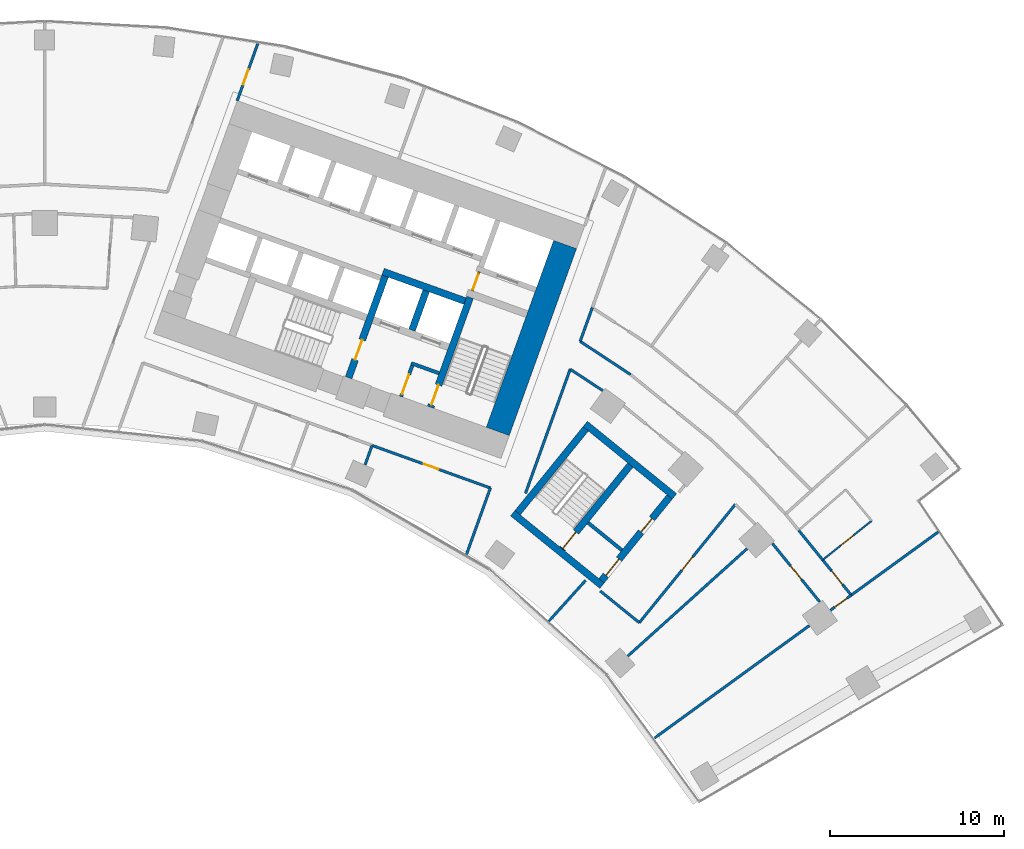
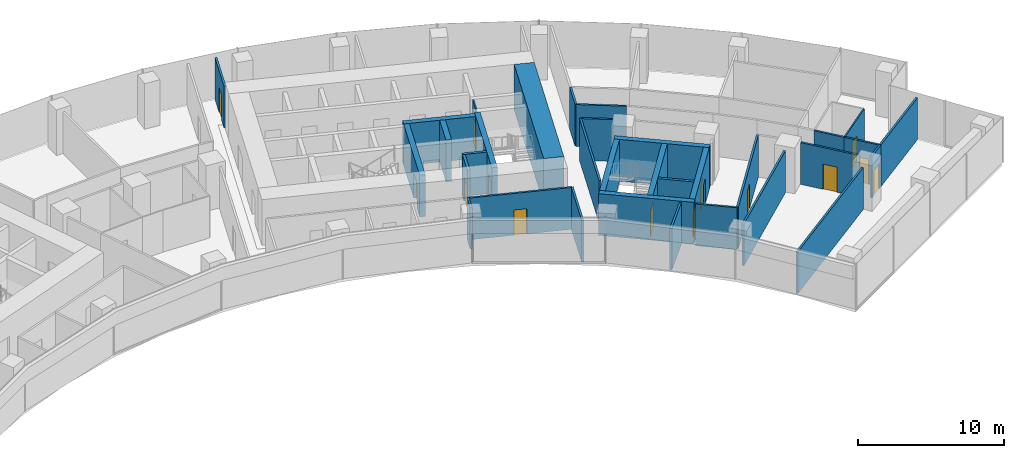
# One storey, part 16 of 20: 33 walls, 14 doors, 14 openings.
"""IFC4 building model written with IfcOpenShell, lengths in metres."""

from ifc_helpers import new_model, si_unit, direction, frame, frame_2d, origin, place, context, subcontext, project, spatial, rectangle, extrude, material, layer, layer_set, type_object, element, fill, save


model = new_model("IFC4")

# Units and contexts
model_context = context("Model", 3, precision=1e-05, world=origin(), true_north=direction((0.0, 1.0)))
body_context = subcontext(model_context, "Body", "Model", "MODEL_VIEW")
ifc_project = project(units=[si_unit("LENGTHUNIT", "METRE"), si_unit("AREAUNIT", "SQUARE_METRE"), si_unit("VOLUMEUNIT", "CUBIC_METRE"), si_unit("PLANEANGLEUNIT", "RADIAN"), si_unit("MASSUNIT", "GRAM", prefix="KILO")], contexts=[model_context])

# Site, building, storey
site_placement = place(None, origin())
site = spatial("IfcSite", under=ifc_project, at=site_placement, CompositionType="ELEMENT")
building_placement = place(site_placement, origin())
building = spatial("IfcBuilding", under=site, at=building_placement, Name="Stone Belt Terrace Tower", CompositionType="ELEMENT")
storey_placement = place(building_placement, frame((0.0, 0.0, 125.0)))
storey = spatial("IfcBuildingStorey", under=building, at=storey_placement, Name="L30", CompositionType="ELEMENT", Elevation=125.0)

# Wall, opening, door
ifc_material_1 = material(Name="Plasterboard partition")
ifc_layer_1 = layer(ifc_material_1, 0.10009765625)
ifc_layer_set_1 = layer_set([ifc_layer_1], Name="Core partition 100")
wall_type_1 = type_object("IfcWallType", Name="Core partition 100", PredefinedType="PARTITIONING", material=ifc_layer_set_1)
wall_1_placement = place(storey_placement, frame((24.555908203125, 51.10400390625, 0.0), z_axis=(0.0, 0.0, 1.0), x_axis=(0.338621735342, 0.94092258999, 0.0)))
wall_1 = element("IfcWall", 1, at=wall_1_placement, inside=storey, type_object=wall_type_1, Name="Core B wall", PredefinedType="PARTITIONING", context=body_context, shape_type="SweptSolid", body=[
    extrude(rectangle(XDim=1.14990234375, YDim=0.10009765625, at=frame_2d((0.574951171875, 0.0))), origin(), (0.0, 0.0, 1.0), 3.47998046875),
])
opening_1_placement = place(wall_1_placement, frame((0.050048828125, 0.0, 0.0)))
opening_1 = element("IfcOpeningElement", 2, at=opening_1_placement, cuts=wall_1, Name="Opening L30-C09", PredefinedType="OPENING", context=body_context, shape_type="SweptSolid", body=[
    extrude(rectangle(XDim=1.0, YDim=2.10009765625, at=frame_2d((0.5, 1.050048828125))), frame((0.0, 0.06005859375, 0.0), z_axis=(0.0, -1.0, 0.0), x_axis=(1.0, 0.0, 0.0)), (0.0, 0.0, 1.0), 0.1201171875),
])
ifc_material_2 = material(Name="Timber door leaf", Category="wood")
door_type_1 = type_object("IfcDoorType", Name="Core room door 1000", OperationType="SINGLE_SWING_LEFT", PredefinedType="DOOR", material=ifc_material_2)
door_1_placement = place(opening_1_placement, origin())
door_1 = element("IfcDoor", 3, at=door_1_placement, inside=storey, type_object=door_type_1, Name="Service lift lobby door core B", OperationType="SINGLE_SWING_LEFT", OverallHeight=2.10009765625, OverallWidth=1.0, PredefinedType="DOOR", context=body_context, shape_type="SweptSolid", body=[
    extrude(rectangle(XDim=1.0, YDim=2.10009765625, at=frame_2d((0.5, 1.050048828125))), frame((0.0, 0.02490234375, 0.0), z_axis=(0.0, -1.0, 0.0), x_axis=(1.0, 0.0, 0.0)), (0.0, 0.0, 1.0), 0.050048828125),
])
fill(opening_1, door_1)

# Walls
ifc_material_3 = material(Name="Concrete B80", Category="concrete")
ifc_layer_2 = layer(ifc_material_3, 1.39990234375)
ifc_layer_set_2 = layer_set([ifc_layer_2], Name="Core wall 1400 B80")
wall_type_2 = type_object("IfcWallType", Name="Core wall 1400 B80", PredefinedType="SHEAR", material=ifc_layer_set_2)
wall_2_placement = place(storey_placement, frame((26.00927734375, 43.03515625, 0.0), z_axis=(0.0, 0.0, 1.0), x_axis=(0.338625431531, 0.940921259788, 0.0)))
element("IfcWall", 4, at=wall_2_placement, inside=storey, type_object=wall_type_2, Name="Core B wall end_b L30", PredefinedType="SHEAR", context=body_context, shape_type="SweptSolid", body=[
    extrude(rectangle(XDim=11.400146484375, YDim=1.39990234375, at=frame_2d((5.7001953125, 0.0))), origin(), (0.0, 0.0, 1.0), 3.800048828125),
])
ifc_layer_3 = layer(ifc_material_3, 0.39990234375)
ifc_layer_set_3 = layer_set([ifc_layer_3], Name="Fire-fighting lift shaft wall 400")
wall_type_3 = type_object("IfcWallType", Name="Fire-fighting lift shaft wall 400", PredefinedType="SHEAR", material=ifc_layer_set_3)
wall_3_placement = place(storey_placement, frame((24.130615234375, 50.512939453125, 0.0), z_axis=(0.0, 0.0, 1.0), x_axis=(-0.94091168377, 0.338652038744, 0.0)))
element("IfcWall", 5, at=wall_3_placement, inside=storey, type_object=wall_type_3, Name="Core B wall", PredefinedType="SHEAR", context=body_context, shape_type="SweptSolid", body=[
    extrude(rectangle(XDim=5.000244140625, YDim=0.39990234375, at=frame_2d((2.5, 0.0))), origin(), (0.0, 0.0, 1.0), 3.47998046875),
])
wall_4_placement = place(storey_placement, frame((21.0859375, 48.845458984375, 0.0), z_axis=(0.0, 0.0, 1.0), x_axis=(0.338629416206, 0.940919825745, 0.0)))
element("IfcWall", 6, at=wall_4_placement, inside=storey, type_object=wall_type_3, Name="Core B wall", PredefinedType="SHEAR", context=body_context, shape_type="SweptSolid", body=[
    extrude(rectangle(XDim=2.400146484375, YDim=0.39990234375, at=frame_2d((1.2001953125, 0.0))), origin(), (0.0, 0.0, 1.0), 3.47998046875),
])

# Wall, opening, door
ifc_material_4 = material(Name="Gypsum board partition")
ifc_layer_4 = layer(ifc_material_4, 0.10009765625)
ifc_layer_set_4 = layer_set([ifc_layer_4], Name="PARTITION 100")
wall_type_4 = type_object("IfcWallType", Name="PARTITION 100", PredefinedType="PARTITIONING", material=ifc_layer_set_4)
wall_5_placement = place(storey_placement, frame((44.657958984375, 35.658935546875, 0.0), z_axis=(0.0, 0.0, 1.0), x_axis=(0.781477418813, 0.623933525213, 0.0)))
wall_5 = element("IfcWall", 7, at=wall_5_placement, inside=storey, type_object=wall_type_4, Name="L30/wall/i074", PredefinedType="PARTITIONING", context=body_context, shape_type="SweptSolid", body=[
    extrude(rectangle(XDim=3.598388671875, YDim=0.10009765625, at=frame_2d((1.79931640625, 0.0))), origin(), (0.0, 0.0, 1.0), 3.47998046875),
])
opening_2_placement = place(wall_5_placement, frame((1.34912109375, 0.0, 0.0)))
opening_2 = element("IfcOpeningElement", 8, at=opening_2_placement, cuts=wall_5, Name="Opening D-B5-25", PredefinedType="OPENING", context=body_context, shape_type="SweptSolid", body=[
    extrude(rectangle(XDim=0.89990234375, YDim=2.10009765625, at=frame_2d((0.449951171875, 1.050048828125))), frame((0.0, 0.06005859375, 0.0), z_axis=(0.0, -1.0, 0.0), x_axis=(1.0, 0.0, 0.0)), (0.0, 0.0, 1.0), 0.1201171875),
])
door_type_2 = type_object("IfcDoorType", Name="OFFICE DOOR 900 X 2100", OperationType="NOTDEFINED", PredefinedType="DOOR", material=ifc_material_2)
door_2_placement = place(opening_2_placement, origin())
door_2 = element("IfcDoor", 9, at=door_2_placement, inside=storey, type_object=door_type_2, Name="L30/door/i25", OperationType="SINGLE_SWING_RIGHT", OverallHeight=2.10009765625, OverallWidth=0.89990234375, PredefinedType="DOOR", context=body_context, shape_type="SweptSolid", body=[
    extrude(rectangle(XDim=0.89990234375, YDim=2.10009765625, at=frame_2d((0.449951171875, 1.050048828125))), frame((0.0, 0.02490234375, 0.0), z_axis=(0.0, -1.0, 0.0), x_axis=(1.0, 0.0, 0.0)), (0.0, 0.0, 1.0), 0.050048828125),
])
fill(opening_2, door_2)

ifc_layer_5 = layer(ifc_material_4, 0.14990234375)
ifc_layer_set_5 = layer_set([ifc_layer_5], Name="PARTITION 150 EI 60")
wall_type_5 = type_object("IfcWallType", Name="PARTITION 150 EI 60", PredefinedType="PARTITIONING", material=ifc_layer_set_5)
wall_6_placement = place(storey_placement, frame((12.23486328125, 65.297119140625, 0.0), z_axis=(0.0, 0.0, 1.0), x_axis=(-0.338853532575, -0.94083913793, 0.0)))
wall_6 = element("IfcWall", 10, at=wall_6_placement, inside=storey, type_object=wall_type_5, Name="L30/wall/i019", PredefinedType="PARTITIONING", context=body_context, shape_type="SweptSolid", body=[
    extrude(rectangle(XDim=3.482177734375, YDim=0.14990234375, at=frame_2d((1.7412109375, 0.0))), origin(), (0.0, 0.0, 1.0), 3.47998046875),
])
opening_3_placement = place(wall_6_placement, frame((1.58837890625, 0.0, 0.0)))
opening_3 = element("IfcOpeningElement", 11, at=opening_3_placement, cuts=wall_6, Name="Opening D-B5-10", PredefinedType="OPENING", context=body_context, shape_type="SweptSolid", body=[
    extrude(rectangle(XDim=0.89990234375, YDim=2.10009765625, at=frame_2d((0.449951171875, 1.050048828125))), frame((0.0, 0.0849609375, 0.0), z_axis=(0.0, -1.0, 0.0), x_axis=(1.0, 0.0, 0.0)), (0.0, 0.0, 1.0), 0.169921875),
])
door_3_placement = place(opening_3_placement, origin())
door_3 = element("IfcDoor", 12, at=door_3_placement, inside=storey, type_object=door_type_2, Name="L30/door/i10", OperationType="SINGLE_SWING_RIGHT", OverallHeight=2.10009765625, OverallWidth=0.89990234375, PredefinedType="DOOR", context=body_context, shape_type="SweptSolid", body=[
    extrude(rectangle(XDim=0.89990234375, YDim=2.10009765625, at=frame_2d((0.449951171875, 1.050048828125))), frame((0.0, 0.02490234375, 0.0), z_axis=(0.0, -1.0, 0.0), x_axis=(1.0, 0.0, 0.0)), (0.0, 0.0, 1.0), 0.050048828125),
])
fill(opening_3, door_3)

# Walls
wall_7_placement = place(storey_placement, frame((24.21240234375, 35.975341796875, 0.0), z_axis=(0.0, 0.0, 1.0), x_axis=(0.338542603355, 0.940951064463, 0.0)))
element("IfcWall", 13, at=wall_7_placement, inside=storey, type_object=wall_type_5, Name="L30/wall/i022", PredefinedType="PARTITIONING", context=body_context, shape_type="SweptSolid", body=[
    extrude(rectangle(XDim=4.05712890625, YDim=0.14990234375, at=frame_2d((2.028564453125, 0.0))), origin(), (0.0, 0.0, 1.0), 3.47998046875),
])
wall_8_placement = place(storey_placement, frame((30.1669921875, 46.612060546875, 0.0), z_axis=(0.0, 0.0, 1.0), x_axis=(-0.338694393991, -0.940896438233, 0.0)))
element("IfcWall", 14, at=wall_8_placement, inside=storey, type_object=wall_type_5, Name="L30/wall/i024", PredefinedType="PARTITIONING", context=body_context, shape_type="SweptSolid", body=[
    extrude(rectangle(XDim=7.585205078125, YDim=0.14990234375, at=frame_2d((3.79248046875, 0.0))), origin(), (0.0, 0.0, 1.0), 3.47998046875),
])
wall_9_placement = place(storey_placement, frame((31.054931640625, 34.489990234375, 0.0), z_axis=(0.0, 0.0, 1.0), x_axis=(-0.669118910745, -0.743155356089, 0.0)))
element("IfcWall", 15, at=wall_9_placement, inside=storey, type_object=wall_type_5, Name="L30/wall/i025", PredefinedType="PARTITIONING", context=body_context, shape_type="SweptSolid", body=[
    extrude(rectangle(XDim=3.149169921875, YDim=0.14990234375, at=frame_2d((1.57470703125, 0.0))), origin(), (0.0, 0.0, 1.0), 3.47998046875),
])
wall_10_placement = place(storey_placement, frame((31.43603515625, 50.139892578125, 0.0), z_axis=(0.0, 0.0, 1.0), x_axis=(-0.338522672426, -0.940958235127, 0.0)))
element("IfcWall", 16, at=wall_10_placement, inside=storey, type_object=wall_type_5, Name="L30/wall/i026", PredefinedType="PARTITIONING", context=body_context, shape_type="SweptSolid", body=[
    extrude(rectangle(XDim=2.064697265625, YDim=0.14990234375, at=frame_2d((1.0322265625, 0.0))), origin(), (0.0, 0.0, 1.0), 3.47998046875),
])

# Wall, opening, door
wall_11_placement = place(storey_placement, frame((25.583984375, 39.787109375, 0.0), z_axis=(0.0, 0.0, 1.0), x_axis=(-0.940903787311, 0.338673977482, 0.0)))
wall_11 = element("IfcWall", 17, at=wall_11_placement, inside=storey, type_object=wall_type_5, Name="L30/wall/i031", PredefinedType="PARTITIONING", context=body_context, shape_type="SweptSolid", body=[
    extrude(rectangle(XDim=7.2216796875, YDim=0.14990234375, at=frame_2d((3.61083984375, 0.0))), origin(), (0.0, 0.0, 1.0), 3.47998046875),
])
opening_4_placement = place(wall_11_placement, frame((3.160888671875, 0.0, 0.0)))
opening_4 = element("IfcOpeningElement", 18, at=opening_4_placement, cuts=wall_11, Name="Opening D-B5-09", PredefinedType="OPENING", context=body_context, shape_type="SweptSolid", body=[
    extrude(rectangle(XDim=0.89990234375, YDim=2.10009765625, at=frame_2d((0.449951171875, 1.050048828125))), frame((0.0, 0.0849609375, 0.0), z_axis=(0.0, -1.0, 0.0), x_axis=(1.0, 0.0, 0.0)), (0.0, 0.0, 1.0), 0.169921875),
])
door_4_placement = place(opening_4_placement, origin())
door_4 = element("IfcDoor", 19, at=door_4_placement, inside=storey, type_object=door_type_2, Name="L30/door/i09", OperationType="SINGLE_SWING_RIGHT", OverallHeight=2.10009765625, OverallWidth=0.89990234375, PredefinedType="DOOR", context=body_context, shape_type="SweptSolid", body=[
    extrude(rectangle(XDim=0.89990234375, YDim=2.10009765625, at=frame_2d((0.449951171875, 1.050048828125))), frame((0.0, 0.02490234375, 0.0), z_axis=(0.0, -1.0, 0.0), x_axis=(1.0, 0.0, 0.0)), (0.0, 0.0, 1.0), 0.050048828125),
])
fill(opening_4, door_4)

# Wall
wall_12_placement = place(storey_placement, frame((18.7939453125, 42.22998046875, 0.0), z_axis=(0.0, 0.0, 1.0), x_axis=(-0.338675376893, -0.940903283598, 0.0)))
element("IfcWall", 20, at=wall_12_placement, inside=storey, type_object=wall_type_5, Name="L30/wall/i034", PredefinedType="PARTITIONING", context=body_context, shape_type="SweptSolid", body=[
    extrude(rectangle(XDim=1.176513671875, YDim=0.14990234375, at=frame_2d((0.58837890625, 0.0))), origin(), (0.0, 0.0, 1.0), 3.47998046875),
])

# Wall, opening, door
wall_13_placement = place(storey_placement, frame((46.301025390625, 33.638916015625, 0.0), z_axis=(0.0, 0.0, 1.0), x_axis=(-0.809407972322, -0.587246740597, 0.0)))
wall_13 = element("IfcWall", 21, at=wall_13_placement, inside=storey, type_object=wall_type_5, Name="L30/wall/i044", PredefinedType="PARTITIONING", context=body_context, shape_type="SweptSolid", body=[
    extrude(rectangle(XDim=1.475830078125, YDim=0.14990234375, at=frame_2d((0.73779296875, 0.0))), origin(), (0.0, 0.0, 1.0), 3.47998046875),
])
opening_5_placement = place(wall_13_placement, frame((0.287841796875, 0.0, 0.0)))
opening_5 = element("IfcOpeningElement", 22, at=opening_5_placement, cuts=wall_13, Name="Opening D-B5-16", PredefinedType="OPENING", context=body_context, shape_type="SweptSolid", body=[
    extrude(rectangle(XDim=0.89990234375, YDim=2.10009765625, at=frame_2d((0.449951171875, 1.050048828125))), frame((0.0, 0.0849609375, 0.0), z_axis=(0.0, -1.0, 0.0), x_axis=(1.0, 0.0, 0.0)), (0.0, 0.0, 1.0), 0.169921875),
])
ifc_material_5 = material(Name="Timber fire door leaf", Category="wood")
door_type_3 = type_object("IfcDoorType", Name="TENANCY ENTRANCE DOOR 900 X 2100", OperationType="NOTDEFINED", PredefinedType="DOOR", material=ifc_material_5)
door_5_placement = place(opening_5_placement, origin())
door_5 = element("IfcDoor", 23, at=door_5_placement, inside=storey, type_object=door_type_3, Name="L30/door/i16", OperationType="SINGLE_SWING_RIGHT", OverallHeight=2.10009765625, OverallWidth=0.89990234375, PredefinedType="DOOR", context=body_context, shape_type="SweptSolid", body=[
    extrude(rectangle(XDim=0.89990234375, YDim=2.10009765625, at=frame_2d((0.449951171875, 1.050048828125))), frame((0.0, 0.02490234375, 0.0), z_axis=(0.0, -1.0, 0.0), x_axis=(1.0, 0.0, 0.0)), (0.0, 0.0, 1.0), 0.050048828125),
])
fill(opening_5, door_5)

# Walls
wall_14_placement = place(storey_placement, frame((35.006103515625, 25.43310546875, 0.0), z_axis=(0.0, 0.0, 1.0), x_axis=(0.809031292707, 0.587765571823, 0.0)))
element("IfcWall", 24, at=wall_14_placement, inside=storey, type_object=wall_type_5, Name="L30/wall/i045", PredefinedType="PARTITIONING", context=body_context, shape_type="SweptSolid", body=[
    extrude(rectangle(XDim=10.975341796875, YDim=0.14990234375, at=frame_2d((5.48779296875, 0.0))), origin(), (0.0, 0.0, 1.0), 3.47998046875),
])
wall_15_placement = place(storey_placement, frame((46.291015625, 33.632080078125, 0.0), z_axis=(0.0, 0.0, 1.0), x_axis=(0.809007988274, 0.587797647927, 0.0)))
element("IfcWall", 25, at=wall_15_placement, inside=storey, type_object=wall_type_5, Name="L30/wall/i046", PredefinedType="PARTITIONING", context=body_context, shape_type="SweptSolid", body=[
    extrude(rectangle(XDim=6.171630859375, YDim=0.14990234375, at=frame_2d((3.0859375, 0.0))), origin(), (0.0, 0.0, 1.0), 3.47998046875),
])
wall_16_placement = place(storey_placement, frame((32.03466796875, 45.37646484375, 0.0), z_axis=(0.0, 0.0, 1.0), x_axis=(-0.835456606052, 0.549556420583, 0.0)))
element("IfcWall", 26, at=wall_16_placement, inside=storey, type_object=wall_type_5, Name="L30/wall/i048", PredefinedType="PARTITIONING", context=body_context, shape_type="SweptSolid", body=[
    extrude(rectangle(XDim=2.239013671875, YDim=0.14990234375, at=frame_2d((1.11962890625, 0.0))), origin(), (0.0, 0.0, 1.0), 3.47998046875),
])
wall_17_placement = place(storey_placement, frame((30.739013671875, 48.202880859375, 0.0), z_axis=(0.0, 0.0, 1.0), x_axis=(0.835274160171, -0.549833681535, 0.0)))
element("IfcWall", 27, at=wall_17_placement, inside=storey, type_object=wall_type_5, Name="L30/wall/i049", PredefinedType="PARTITIONING", context=body_context, shape_type="SweptSolid", body=[
    extrude(rectangle(XDim=3.46826171875, YDim=0.14990234375, at=frame_2d((1.734130859375, 0.0))), origin(), (0.0, 0.0, 1.0), 3.47998046875),
])

# Wall, opening, door
wall_18_placement = place(storey_placement, frame((44.485107421875, 33.253662109375, 0.0), z_axis=(0.0, 0.0, 1.0), x_axis=(-0.629214542808, 0.777231663739, 0.0)))
wall_18 = element("IfcWall", 28, at=wall_18_placement, inside=storey, type_object=wall_type_5, Name="L30/wall/i053", PredefinedType="PARTITIONING", context=body_context, shape_type="SweptSolid", body=[
    extrude(rectangle(XDim=4.304931640625, YDim=0.14990234375, at=frame_2d((2.15234375, 0.0))), origin(), (0.0, 0.0, 1.0), 3.47998046875),
])
opening_6_placement = place(wall_18_placement, frame((1.652587890625, 0.0, 0.0)))
opening_6 = element("IfcOpeningElement", 29, at=opening_6_placement, cuts=wall_18, Name="Opening D-B5-19", PredefinedType="OPENING", context=body_context, shape_type="SweptSolid", body=[
    extrude(rectangle(XDim=1.0, YDim=2.10009765625, at=frame_2d((0.5, 1.050048828125))), frame((0.0, 0.0849609375, 0.0), z_axis=(0.0, -1.0, 0.0), x_axis=(1.0, 0.0, 0.0)), (0.0, 0.0, 1.0), 0.169921875),
])
door_type_4 = type_object("IfcDoorType", Name="TENANCY ENTRANCE DOOR 1000 X 2100", OperationType="NOTDEFINED", PredefinedType="DOOR", material=ifc_material_5)
door_6_placement = place(opening_6_placement, origin())
door_6 = element("IfcDoor", 30, at=door_6_placement, inside=storey, type_object=door_type_4, Name="L30/door/i19", OperationType="SINGLE_SWING_RIGHT", OverallHeight=2.10009765625, OverallWidth=1.0, PredefinedType="DOOR", context=body_context, shape_type="SweptSolid", body=[
    extrude(rectangle(XDim=1.0, YDim=2.10009765625, at=frame_2d((0.5, 1.050048828125))), frame((0.0, 0.02490234375, 0.0), z_axis=(0.0, -1.0, 0.0), x_axis=(1.0, 0.0, 0.0)), (0.0, 0.0, 1.0), 0.050048828125),
])
fill(opening_6, door_6)

wall_19_placement = place(storey_placement, frame((44.654052734375, 35.6630859375, 0.0), z_axis=(0.0, 0.0, 1.0), x_axis=(0.629397440797, -0.777083561477, 0.0)))
wall_19 = element("IfcWall", 31, at=wall_19_placement, inside=storey, type_object=wall_type_5, Name="L30/wall/i056", PredefinedType="PARTITIONING", context=body_context, shape_type="SweptSolid", body=[
    extrude(rectangle(XDim=2.608642578125, YDim=0.14990234375, at=frame_2d((1.30419921875, 0.0))), origin(), (0.0, 0.0, 1.0), 3.47998046875),
])
opening_7_placement = place(wall_19_placement, frame((0.80419921875, 0.0, 0.0)))
opening_7 = element("IfcOpeningElement", 32, at=opening_7_placement, cuts=wall_19, Name="Opening D-B5-24", PredefinedType="OPENING", context=body_context, shape_type="SweptSolid", body=[
    extrude(rectangle(XDim=1.0, YDim=2.10009765625, at=frame_2d((0.5, 1.050048828125))), frame((0.0, 0.0849609375, 0.0), z_axis=(0.0, -1.0, 0.0), x_axis=(1.0, 0.0, 0.0)), (0.0, 0.0, 1.0), 0.169921875),
])
door_7_placement = place(opening_7_placement, origin())
door_7 = element("IfcDoor", 33, at=door_7_placement, inside=storey, type_object=door_type_4, Name="L30/door/i24", OperationType="SINGLE_SWING_RIGHT", OverallHeight=2.10009765625, OverallWidth=1.0, PredefinedType="DOOR", context=body_context, shape_type="SweptSolid", body=[
    extrude(rectangle(XDim=1.0, YDim=2.10009765625, at=frame_2d((0.5, 1.050048828125))), frame((0.0, 0.02490234375, 0.0), z_axis=(0.0, -1.0, 0.0), x_axis=(1.0, 0.0, 0.0)), (0.0, 0.0, 1.0), 0.050048828125),
])
fill(opening_7, door_7)

# Wall
wall_20_placement = place(storey_placement, frame((43.27392578125, 37.366943359375, 0.0), z_axis=(0.0, 0.0, 1.0), x_axis=(0.629290634634, -0.777170056784, 0.0)))
element("IfcWall", 34, at=wall_20_placement, inside=storey, type_object=wall_type_5, Name="L30/wall/i057", PredefinedType="PARTITIONING", context=body_context, shape_type="SweptSolid", body=[
    extrude(rectangle(XDim=2.2041015625, YDim=0.14990234375, at=frame_2d((1.10205078125, 0.0))), origin(), (0.0, 0.0, 1.0), 3.47998046875),
])

# Wall, opening, door
wall_21_placement = place(storey_placement, frame((39.64599609375, 38.84912109375, 0.0), z_axis=(0.0, 0.0, 1.0), x_axis=(-0.630141823003, -0.776480059566, 0.0)))
wall_21 = element("IfcWall", 35, at=wall_21_placement, inside=storey, type_object=wall_type_5, Name="L30/wall/i059", PredefinedType="PARTITIONING", context=body_context, shape_type="SweptSolid", body=[
    extrude(rectangle(XDim=8.748779296875, YDim=0.14990234375, at=frame_2d((4.37451171875, 0.0))), origin(), (0.0, 0.0, 1.0), 3.47998046875),
])
opening_8_placement = place(wall_21_placement, frame((3.874267578125, 0.0, 0.0)))
opening_8 = element("IfcOpeningElement", 36, at=opening_8_placement, cuts=wall_21, Name="Opening D-B5-18", PredefinedType="OPENING", context=body_context, shape_type="SweptSolid", body=[
    extrude(rectangle(XDim=1.0, YDim=2.10009765625, at=frame_2d((0.5, 1.050048828125))), frame((0.0, 0.0849609375, 0.0), z_axis=(0.0, -1.0, 0.0), x_axis=(1.0, 0.0, 0.0)), (0.0, 0.0, 1.0), 0.169921875),
])
door_8_placement = place(opening_8_placement, origin())
door_8 = element("IfcDoor", 37, at=door_8_placement, inside=storey, type_object=door_type_4, Name="L30/door/i18", OperationType="SINGLE_SWING_RIGHT", OverallHeight=2.10009765625, OverallWidth=1.0, PredefinedType="DOOR", context=body_context, shape_type="SweptSolid", body=[
    extrude(rectangle(XDim=1.0, YDim=2.10009765625, at=frame_2d((0.5, 1.050048828125))), frame((0.0, 0.02490234375, 0.0), z_axis=(0.0, -1.0, 0.0), x_axis=(1.0, 0.0, 0.0)), (0.0, 0.0, 1.0), 0.050048828125),
])
fill(opening_8, door_8)

# Walls
wall_22_placement = place(storey_placement, frame((34.133056640625, 32.055908203125, 0.0), z_axis=(0.0, 0.0, 1.0), x_axis=(-0.776369956068, 0.630277471686, 0.0)))
element("IfcWall", 38, at=wall_22_placement, inside=storey, type_object=wall_type_5, Name="L30/wall/i060", PredefinedType="PARTITIONING", context=body_context, shape_type="SweptSolid", body=[
    extrude(rectangle(XDim=2.8876953125, YDim=0.14990234375, at=frame_2d((1.44384765625, 0.0))), origin(), (0.0, 0.0, 1.0), 3.47998046875),
])
wall_23_placement = place(storey_placement, frame((40.311767578125, 36.297119140625, 0.0), z_axis=(0.0, 0.0, 1.0), x_axis=(-0.74312513137, -0.669152478233, 0.0)))
element("IfcWall", 39, at=wall_23_placement, inside=storey, type_object=wall_type_5, Name="L30/wall/i061", PredefinedType="PARTITIONING", context=body_context, shape_type="SweptSolid", body=[
    extrude(rectangle(XDim=9.195068359375, YDim=0.14990234375, at=frame_2d((4.59765625, 0.0))), origin(), (0.0, 0.0, 1.0), 3.47998046875),
])
ifc_material_6 = material(Name="Concrete masonry block", Category="masonry")
ifc_layer_6 = layer(ifc_material_6, 0.199951171875)
ifc_layer_set_6 = layer_set([ifc_layer_6], Name="Rated lobby wall 200")
wall_type_6 = type_object("IfcWallType", Name="Rated lobby wall 200", PredefinedType="PARTITIONING", material=ifc_layer_set_6)
wall_24_placement = place(storey_placement, frame((22.640625, 46.373046875, 0.0), z_axis=(0.0, 0.0, 1.0), x_axis=(-0.940966110313, 0.338500781747, 0.0)))
element("IfcWall", 40, at=wall_24_placement, inside=storey, type_object=wall_type_6, Name="Core B wall", PredefinedType="PARTITIONING", context=body_context, shape_type="SweptSolid", body=[
    extrude(rectangle(XDim=1.699951171875, YDim=0.199951171875, at=frame_2d((0.85009765625, 0.0))), origin(), (0.0, 0.0, 1.0), 3.47998046875),
])

# Wall, opening, door
wall_25_placement = place(storey_placement, frame((20.4580078125, 45.032958984375, 0.0), z_axis=(0.0, 0.0, 1.0), x_axis=(0.338573865316, 0.940939816208, 0.0)))
wall_25 = element("IfcWall", 41, at=wall_25_placement, inside=storey, type_object=wall_type_6, Name="Core B wall", PredefinedType="PARTITIONING", context=body_context, shape_type="SweptSolid", body=[
    extrude(rectangle(XDim=1.900146484375, YDim=0.199951171875, at=frame_2d((0.9501953125, 0.0))), origin(), (0.0, 0.0, 1.0), 3.47998046875),
])
opening_9_placement = place(wall_25_placement, frame((0.14990234375, 0.0, 0.0)))
opening_9 = element("IfcOpeningElement", 42, at=opening_9_placement, cuts=wall_25, Name="Opening L30-C12", PredefinedType="OPENING", context=body_context, shape_type="SweptSolid", body=[
    extrude(rectangle(XDim=1.199951171875, YDim=2.10009765625, at=frame_2d((0.60009765625, 1.050048828125))), frame((0.0, 0.10986328125, 0.0), z_axis=(0.0, -1.0, 0.0), x_axis=(1.0, 0.0, 0.0)), (0.0, 0.0, 1.0), 0.219970703125),
])
ifc_material_7 = material(Name="Steel door leaf", Category="steel")
door_type_5 = type_object("IfcDoorType", Name="Stair door 1200", OperationType="SINGLE_SWING_LEFT", PredefinedType="DOOR", material=ifc_material_7)
door_9_placement = place(opening_9_placement, origin())
door_9 = element("IfcDoor", 43, at=door_9_placement, inside=storey, type_object=door_type_5, Name="Stair airlock door core B", OperationType="SINGLE_SWING_LEFT", OverallHeight=2.10009765625, OverallWidth=1.199951171875, PredefinedType="DOOR", context=body_context, shape_type="SweptSolid", body=[
    extrude(rectangle(XDim=1.199951171875, YDim=2.10009765625, at=frame_2d((0.60009765625, 1.050048828125))), frame((0.0, 0.02490234375, 0.0), z_axis=(0.0, -1.0, 0.0), x_axis=(1.0, 0.0, 0.0)), (0.0, 0.0, 1.0), 0.050048828125),
])
fill(opening_9, door_9)

# Wall
wall_26_placement = place(storey_placement, frame((31.190673828125, 37.79296875, 0.0), z_axis=(0.0, 0.0, 1.0), x_axis=(0.776370830301, -0.630276394813, 0.0)))
element("IfcWall", 44, at=wall_26_placement, inside=storey, type_object=wall_type_6, Name="Exit stair ST3B wall", PredefinedType="PARTITIONING", context=body_context, shape_type="SweptSolid", body=[
    extrude(rectangle(XDim=2.5, YDim=0.199951171875, at=frame_2d((1.25, 0.0))), origin(), (0.0, 0.0, 1.0), 3.47998046875),
])

# Wall, opening, door
ifc_layer_7 = layer(ifc_material_3, 0.39990234375)
ifc_layer_set_7 = layer_set([ifc_layer_7], Name="Stair enclosure wall 400")
wall_type_7 = type_object("IfcWallType", Name="Stair enclosure wall 400", PredefinedType="SHEAR", material=ifc_layer_set_7)
wall_27_placement = place(storey_placement, frame((22.151611328125, 44.42333984375, 0.0), z_axis=(0.0, 0.0, 1.0), x_axis=(0.338625272931, 0.940921316866, 0.0)))
wall_27 = element("IfcWall", 45, at=wall_27_placement, inside=storey, type_object=wall_type_7, Name="Core B wall", PredefinedType="SHEAR", context=body_context, shape_type="SweptSolid", body=[
    extrude(rectangle(XDim=6.699951171875, YDim=0.39990234375, at=frame_2d((3.35009765625, 0.0))), origin(), (0.0, 0.0, 1.0), 3.47998046875),
])
opening_10_placement = place(wall_27_placement, frame((0.14990234375, 0.0, 0.0)))
opening_10 = element("IfcOpeningElement", 46, at=opening_10_placement, cuts=wall_27, Name="Opening L30-C11", PredefinedType="OPENING", context=body_context, shape_type="SweptSolid", body=[
    extrude(rectangle(XDim=1.199951171875, YDim=2.10009765625, at=frame_2d((0.60009765625, 1.050048828125))), frame((0.0, 0.2099609375, 0.0), z_axis=(0.0, -1.0, 0.0), x_axis=(1.0, 0.0, 0.0)), (0.0, 0.0, 1.0), 0.419921875),
])
door_10_placement = place(opening_10_placement, origin())
door_10 = element("IfcDoor", 47, at=door_10_placement, inside=storey, type_object=door_type_5, Name="Stair 1 door core B", OperationType="SINGLE_SWING_LEFT", OverallHeight=2.10009765625, OverallWidth=1.199951171875, PredefinedType="DOOR", context=body_context, shape_type="SweptSolid", body=[
    extrude(rectangle(XDim=1.199951171875, YDim=2.10009765625, at=frame_2d((0.60009765625, 1.050048828125))), frame((0.0, 0.02490234375, 0.0), z_axis=(0.0, -1.0, 0.0), x_axis=(1.0, 0.0, 0.0)), (0.0, 0.0, 1.0), 0.050048828125),
])
fill(opening_10, door_10)

wall_28_placement = place(storey_placement, frame((17.447021484375, 46.116455078125, 0.0), z_axis=(0.0, 0.0, 1.0), x_axis=(0.33860791464, 0.940927563707, 0.0)))
wall_28 = element("IfcWall", 48, at=wall_28_placement, inside=storey, type_object=wall_type_7, Name="Core B wall", PredefinedType="SHEAR", context=body_context, shape_type="SweptSolid", body=[
    extrude(rectangle(XDim=6.199951171875, YDim=0.39990234375, at=frame_2d((3.10009765625, 0.0))), origin(), (0.0, 0.0, 1.0), 3.47998046875),
])
opening_11_placement = place(wall_28_placement, frame((1.10009765625, 0.0, 0.0)))
opening_11 = element("IfcOpeningElement", 49, at=opening_11_placement, cuts=wall_28, Name="Opening L30-C14", PredefinedType="OPENING", context=body_context, shape_type="SweptSolid", body=[
    extrude(rectangle(XDim=1.199951171875, YDim=2.10009765625, at=frame_2d((0.60009765625, 1.050048828125))), frame((0.0, 0.2099609375, 0.0), z_axis=(0.0, -1.0, 0.0), x_axis=(1.0, 0.0, 0.0)), (0.0, 0.0, 1.0), 0.419921875),
])
door_11_placement = place(opening_11_placement, origin())
door_11 = element("IfcDoor", 50, at=door_11_placement, inside=storey, type_object=door_type_5, Name="Stair 2 door core B", OperationType="SINGLE_SWING_LEFT", OverallHeight=2.10009765625, OverallWidth=1.199951171875, PredefinedType="DOOR", context=body_context, shape_type="SweptSolid", body=[
    extrude(rectangle(XDim=1.199951171875, YDim=2.10009765625, at=frame_2d((0.60009765625, 1.050048828125))), frame((0.0, 0.02490234375, 0.0), z_axis=(0.0, -1.0, 0.0), x_axis=(1.0, 0.0, 0.0)), (0.0, 0.0, 1.0), 0.050048828125),
])
fill(opening_11, door_11)

# Walls
wall_29_placement = place(storey_placement, frame((26.868408203125, 38.3388671875, 0.0), z_axis=(0.0, 0.0, 1.0), x_axis=(0.776428452498, -0.630205409491, 0.0)))
element("IfcWall", 51, at=wall_29_placement, inside=storey, type_object=wall_type_7, Name="Exit stair ST3B wall", PredefinedType="SHEAR", context=body_context, shape_type="SweptSolid", body=[
    extrude(rectangle(XDim=6.60009765625, YDim=0.39990234375, at=frame_2d((3.300048828125, 0.0))), origin(), (0.0, 0.0, 1.0), 3.47998046875),
])
wall_30_placement = place(storey_placement, frame((31.02783203125, 43.46337890625, 0.0), z_axis=(0.0, 0.0, 1.0), x_axis=(0.776413760801, -0.630223509589, 0.0)))
element("IfcWall", 52, at=wall_30_placement, inside=storey, type_object=wall_type_7, Name="Exit stair ST3B wall", PredefinedType="SHEAR", context=body_context, shape_type="SweptSolid", body=[
    extrude(rectangle(XDim=6.599853515625, YDim=0.39990234375, at=frame_2d((3.2998046875, 0.0))), origin(), (0.0, 0.0, 1.0), 3.47998046875),
])
wall_31_placement = place(storey_placement, frame((27.149658203125, 38.3681640625, 0.0), z_axis=(0.0, 0.0, 1.0), x_axis=(0.630211551729, 0.776423466973, 0.0)))
element("IfcWall", 53, at=wall_31_placement, inside=storey, type_object=wall_type_7, Name="Exit stair ST3B wall", PredefinedType="SHEAR", context=body_context, shape_type="SweptSolid", body=[
    extrude(rectangle(XDim=6.199951171875, YDim=0.39990234375, at=frame_2d((3.10009765625, 0.0))), origin(), (0.0, 0.0, 1.0), 3.47998046875),
])

# Wall, openings, doors
wall_32_placement = place(storey_placement, frame((31.963623046875, 34.460693359375, 0.0), z_axis=(0.0, 0.0, 1.0), x_axis=(0.630192283849, 0.776439106033, 0.0)))
wall_32 = element("IfcWall", 54, at=wall_32_placement, inside=storey, type_object=wall_type_7, Name="Exit stair ST3B wall", PredefinedType="SHEAR", context=body_context, shape_type="SweptSolid", body=[
    extrude(rectangle(XDim=6.199951171875, YDim=0.39990234375, at=frame_2d((3.10009765625, 0.0))), origin(), (0.0, 0.0, 1.0), 3.47998046875),
])
opening_12_placement = place(wall_32_placement, frame((0.39990234375, 0.0, 0.0)))
opening_12 = element("IfcOpeningElement", 55, at=opening_12_placement, cuts=wall_32, Name="Opening L30-C21", PredefinedType="OPENING", context=body_context, shape_type="SweptSolid", body=[
    extrude(rectangle(XDim=1.199951171875, YDim=2.10009765625, at=frame_2d((0.60009765625, 1.050048828125))), frame((0.0, 0.2099609375, 0.0), z_axis=(0.0, -1.0, 0.0), x_axis=(1.0, 0.0, 0.0)), (0.0, 0.0, 1.0), 0.419921875),
])
opening_13_placement = place(wall_32_placement, frame((3.60009765625, 0.0, 0.0)))
opening_13 = element("IfcOpeningElement", 56, at=opening_13_placement, cuts=wall_32, Name="Opening L30-C22", PredefinedType="OPENING", context=body_context, shape_type="SweptSolid", body=[
    extrude(rectangle(XDim=1.0, YDim=2.10009765625, at=frame_2d((0.5, 1.050048828125))), frame((0.0, 0.2099609375, 0.0), z_axis=(0.0, -1.0, 0.0), x_axis=(1.0, 0.0, 0.0)), (0.0, 0.0, 1.0), 0.419921875),
])
door_12_placement = place(opening_13_placement, origin())
door_12 = element("IfcDoor", 57, at=door_12_placement, inside=storey, type_object=door_type_1, Name="Door to stair pressurisation plant room ST3B", OperationType="SINGLE_SWING_RIGHT", OverallHeight=2.10009765625, OverallWidth=1.0, PredefinedType="DOOR", context=body_context, shape_type="SweptSolid", body=[
    extrude(rectangle(XDim=1.0, YDim=2.10009765625, at=frame_2d((0.5, 1.050048828125))), frame((0.0, 0.02490234375, 0.0), z_axis=(0.0, -1.0, 0.0), x_axis=(1.0, 0.0, 0.0)), (0.0, 0.0, 1.0), 0.050048828125),
])
fill(opening_13, door_12)
door_type_6 = type_object("IfcDoorType", Name="Stair airlock door 1200", OperationType="SINGLE_SWING_LEFT", PredefinedType="DOOR", material=ifc_material_7)
door_13_placement = place(opening_12_placement, origin())
door_13 = element("IfcDoor", 58, at=door_13_placement, inside=storey, type_object=door_type_6, Name="Stair airlock door ST3B", OperationType="SINGLE_SWING_RIGHT", OverallHeight=2.10009765625, OverallWidth=1.199951171875, PredefinedType="DOOR", context=body_context, shape_type="SweptSolid", body=[
    extrude(rectangle(XDim=1.199951171875, YDim=2.10009765625, at=frame_2d((0.60009765625, 1.050048828125))), frame((0.0, 0.02490234375, 0.0), z_axis=(0.0, -1.0, 0.0), x_axis=(1.0, 0.0, 0.0)), (0.0, 0.0, 1.0), 0.050048828125),
])
fill(opening_12, door_13)

# Wall, opening, door
wall_33_placement = place(storey_placement, frame((29.7119140625, 36.288330078125, 0.0), z_axis=(0.0, 0.0, 1.0), x_axis=(0.630192283849, 0.776439106033, 0.0)))
wall_33 = element("IfcWall", 59, at=wall_33_placement, inside=storey, type_object=wall_type_7, Name="Exit stair ST3B wall", PredefinedType="SHEAR", context=body_context, shape_type="SweptSolid", body=[
    extrude(rectangle(XDim=6.199951171875, YDim=0.39990234375, at=frame_2d((3.10009765625, 0.0))), origin(), (0.0, 0.0, 1.0), 3.47998046875),
])
opening_14_placement = place(wall_33_placement, frame((0.050048828125, 0.0, 0.0)))
opening_14 = element("IfcOpeningElement", 60, at=opening_14_placement, cuts=wall_33, Name="Opening L30-C20", PredefinedType="OPENING", context=body_context, shape_type="SweptSolid", body=[
    extrude(rectangle(XDim=1.199951171875, YDim=2.10009765625, at=frame_2d((0.60009765625, 1.050048828125))), frame((0.0, 0.2099609375, 0.0), z_axis=(0.0, -1.0, 0.0), x_axis=(1.0, 0.0, 0.0)), (0.0, 0.0, 1.0), 0.419921875),
])
door_14_placement = place(opening_14_placement, origin())
door_14 = element("IfcDoor", 61, at=door_14_placement, inside=storey, type_object=door_type_5, Name="Stair door ST3B", OperationType="SINGLE_SWING_LEFT", OverallHeight=2.10009765625, OverallWidth=1.199951171875, PredefinedType="DOOR", context=body_context, shape_type="SweptSolid", body=[
    extrude(rectangle(XDim=1.199951171875, YDim=2.10009765625, at=frame_2d((0.60009765625, 1.050048828125))), frame((0.0, 0.02490234375, 0.0), z_axis=(0.0, -1.0, 0.0), x_axis=(1.0, 0.0, 0.0)), (0.0, 0.0, 1.0), 0.050048828125),
])
fill(opening_14, door_14)

save(model, "model.ifc")
